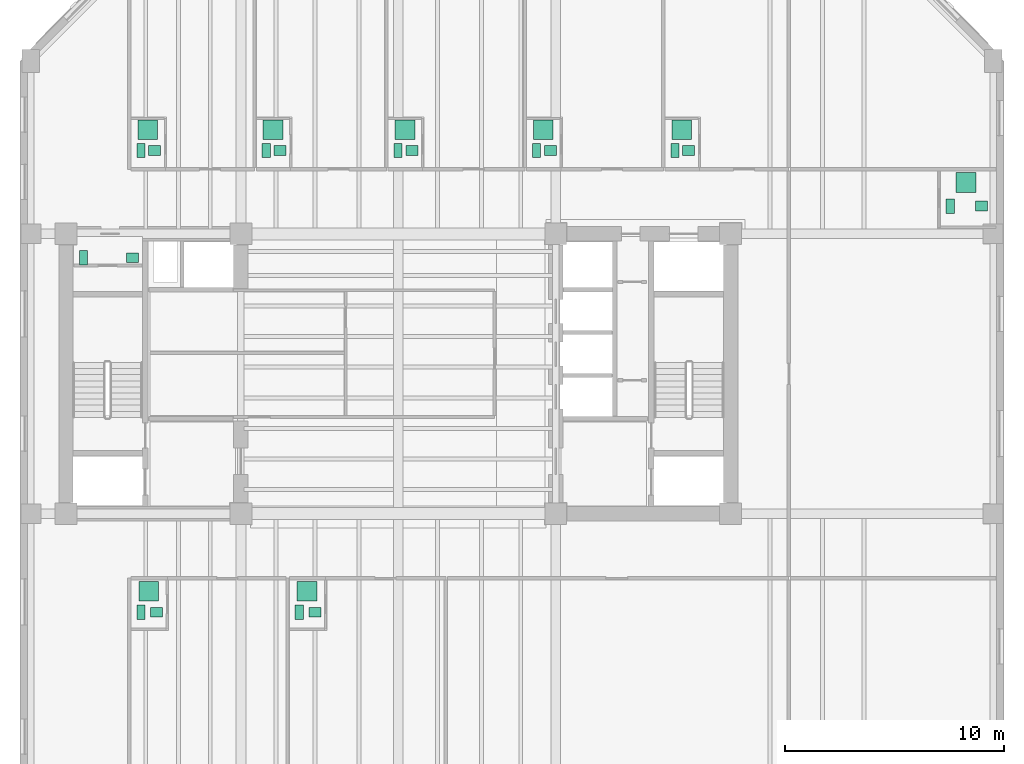
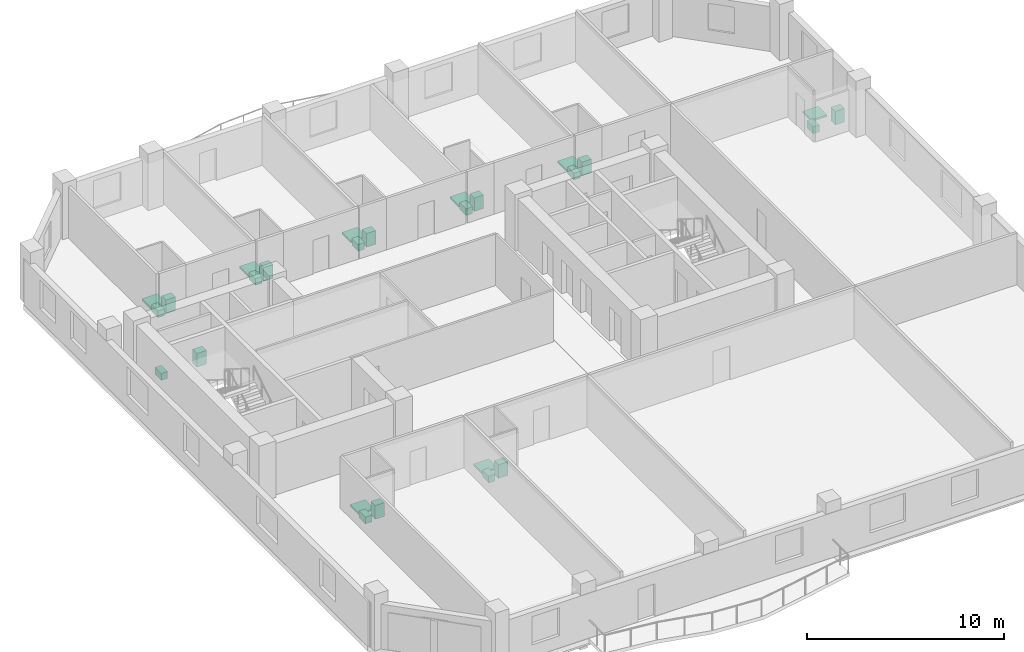
# One storey, part 9 of 9: 26 sanitary terminals.
"""IFC4 building model written with IfcOpenShell, lengths in metres."""

from ifc_helpers import new_model, si_unit, direction, frame, origin, origin_2d, place, context, subcontext, project, spatial, rectangle, extrude, material, type_object, element, save


model = new_model("IFC4")

# Units and contexts
model_context = context("Model", 3, precision=1e-05, world=origin(), true_north=direction((0.0, 1.0)))
body_context = subcontext(model_context, "Body", "Model", "MODEL_VIEW")
ifc_project = project(units=[si_unit("LENGTHUNIT", "METRE"), si_unit("AREAUNIT", "SQUARE_METRE"), si_unit("VOLUMEUNIT", "CUBIC_METRE"), si_unit("PLANEANGLEUNIT", "RADIAN"), si_unit("MASSUNIT", "GRAM", prefix="KILO")], contexts=[model_context])

# Site, building, storey
site_placement = place(None, origin())
site = spatial("IfcSite", under=ifc_project, at=site_placement, CompositionType="ELEMENT")
building_placement = place(site_placement, origin())
building = spatial("IfcBuilding", under=site, at=building_placement, Name="Kranthara Brick Stack", CompositionType="ELEMENT")
storey_placement = place(building_placement, frame((0.0, 0.0, 148.300048828125)))
storey = spatial("IfcBuildingStorey", under=building, at=storey_placement, Name="L37", CompositionType="ELEMENT", Elevation=148.300048828125)

# Sanitary terminals
ifc_material_1 = material(Name="Vitreous china sanitary porcelain", Category="other")
sanitary_terminal_type_1 = type_object("IfcSanitaryTerminalType", Name="SAN-BASIN", PredefinedType="WASHHANDBASIN", material=ifc_material_1)
for number, where, z_axis, x_axis, name in (
    (1, (15.85009765625, 32.5048828125, 0.0), (0.0, 0.0, 1.0), (1.0, 0.0, 0.0), "L37 Washbasin 165"),
    (2, (16.947021484375, 16.294921875, 0.0), (0.0, 0.0, 1.0), (1.0, 0.0, 0.0), "L37 Washbasin 166"),
    (3, (24.18310546875, 16.294921875, 0.0), (0.0, 0.0, 1.0), (1.0, 0.0, 0.0), "L37 Washbasin 167"),
    (4, (16.860107421875, 37.405029296875, 0.0), (0.0, 0.0, 1.0), (1.0, 0.0, 0.0), "L37 Washbasin 168"),
    (5, (22.587890625, 37.405029296875, 0.0), (0.0, 0.0, 1.0), (1.0, 0.0, 0.0), "L37 Washbasin 169"),
    (6, (28.618896484375, 37.405029296875, 0.0), (0.0, 0.0, 1.0), (1.0, 0.0, 0.0), "L37 Washbasin 170"),
    (7, (34.949951171875, 37.405029296875, 0.0), (0.0, 0.0, 1.0), (1.0, 0.0, 0.0), "L37 Washbasin 171"),
    (8, (41.281005859375, 37.405029296875, 0.0), (0.0, 0.0, 1.0), (1.0, 0.0, 0.0), "L37 Washbasin 172"),
    (9, (54.679931640625, 34.864990234375, 0.0), (0.0, 0.0, 1.0), (1.0, 0.0, 0.0), "L37 Washbasin 173"),
):
    element("IfcSanitaryTerminal", number, at=place(storey_placement, frame(where, z_axis=z_axis, x_axis=x_axis)), inside=storey, type_object=sanitary_terminal_type_1, Name=name, PredefinedType="WASHHANDBASIN", context=body_context, shape_type="SweptSolid", body=[
        extrude(rectangle(XDim=0.550048828125, YDim=0.449951171875, at=origin_2d()), origin(), (0.0, 0.0, 1.0), 0.85009765625),
    ])
ifc_material_2 = material(Name="Acrylic and porcelain shower tray", Category="other")
sanitary_terminal_type_2 = type_object("IfcSanitaryTerminalType", Name="SAN-SHOWER", PredefinedType="SHOWER", material=ifc_material_2)
for number, where, z_axis, x_axis, name in (
    (10, (16.587890625, 17.25, 0.0), (0.0, 0.0, 1.0), (1.0, 0.0, 0.0), "L37 Shower Tray 166"),
    (11, (23.823974609375, 17.25, 0.0), (0.0, 0.0, 1.0), (1.0, 0.0, 0.0), "L37 Shower Tray 167"),
    (12, (16.544921875, 38.360107421875, 0.0), (0.0, 0.0, 1.0), (1.0, 0.0, 0.0), "L37 Shower Tray 168"),
    (13, (22.27294921875, 38.360107421875, 0.0), (0.0, 0.0, 1.0), (1.0, 0.0, 0.0), "L37 Shower Tray 169"),
    (14, (28.303955078125, 38.360107421875, 0.0), (0.0, 0.0, 1.0), (1.0, 0.0, 0.0), "L37 Shower Tray 170"),
    (15, (34.635009765625, 38.360107421875, 0.0), (0.0, 0.0, 1.0), (1.0, 0.0, 0.0), "L37 Shower Tray 171"),
    (16, (40.966064453125, 38.360107421875, 0.0), (0.0, 0.0, 1.0), (1.0, 0.0, 0.0), "L37 Shower Tray 172"),
    (17, (53.9599609375, 35.949951171875, 0.0), (0.0, 0.0, 1.0), (1.0, 0.0, 0.0), "L37 Shower Tray 173"),
):
    element("IfcSanitaryTerminal", number, at=place(storey_placement, frame(where, z_axis=z_axis, x_axis=x_axis)), inside=storey, type_object=sanitary_terminal_type_2, Name=name, PredefinedType="SHOWER", context=body_context, shape_type="SweptSolid", body=[
        extrude(rectangle(XDim=0.89990234375, YDim=0.89990234375, at=origin_2d()), origin(), (0.0, 0.0, 1.0), 0.1201171875),
    ])
ifc_material_3 = material(Name="Vitreous china sanitary porcelain", Category="other")
sanitary_terminal_type_3 = type_object("IfcSanitaryTerminalType", Name="SAN-WC-PAN", PredefinedType="TOILETPAN", material=ifc_material_3)
for number, where, z_axis, x_axis, name in (
    (18, (13.60009765625, 32.5048828125, 0.0), (0.0, 0.0, 1.0), (1.0, 0.0, 0.0), "L37 WC Pan 165"),
    (19, (16.22998046875, 16.294921875, 0.0), (0.0, 0.0, 1.0), (1.0, 0.0, 0.0), "L37 WC Pan 166"),
    (20, (23.466064453125, 16.294921875, 0.0), (0.0, 0.0, 1.0), (1.0, 0.0, 0.0), "L37 WC Pan 167"),
    (21, (16.22998046875, 37.405029296875, 0.0), (0.0, 0.0, 1.0), (1.0, 0.0, 0.0), "L37 WC Pan 168"),
    (22, (21.9580078125, 37.405029296875, 0.0), (0.0, 0.0, 1.0), (1.0, 0.0, 0.0), "L37 WC Pan 169"),
    (23, (27.989013671875, 37.405029296875, 0.0), (0.0, 0.0, 1.0), (1.0, 0.0, 0.0), "L37 WC Pan 170"),
    (24, (34.320068359375, 37.405029296875, 0.0), (0.0, 0.0, 1.0), (1.0, 0.0, 0.0), "L37 WC Pan 171"),
    (25, (40.65087890625, 37.405029296875, 0.0), (0.0, 0.0, 1.0), (1.0, 0.0, 0.0), "L37 WC Pan 172"),
    (26, (53.239990234375, 34.864990234375, 0.0), (0.0, 0.0, 1.0), (1.0, 0.0, 0.0), "L37 WC Pan 173"),
):
    element("IfcSanitaryTerminal", number, at=place(storey_placement, frame(where, z_axis=z_axis, x_axis=x_axis)), inside=storey, type_object=sanitary_terminal_type_3, Name=name, PredefinedType="TOILETPAN", context=body_context, shape_type="SweptSolid", body=[
        extrude(rectangle(XDim=0.3798828125, YDim=0.64990234375, at=origin_2d()), origin(), (0.0, 0.0, 1.0), 0.419921875),
    ])

save(model, "model.ifc")
